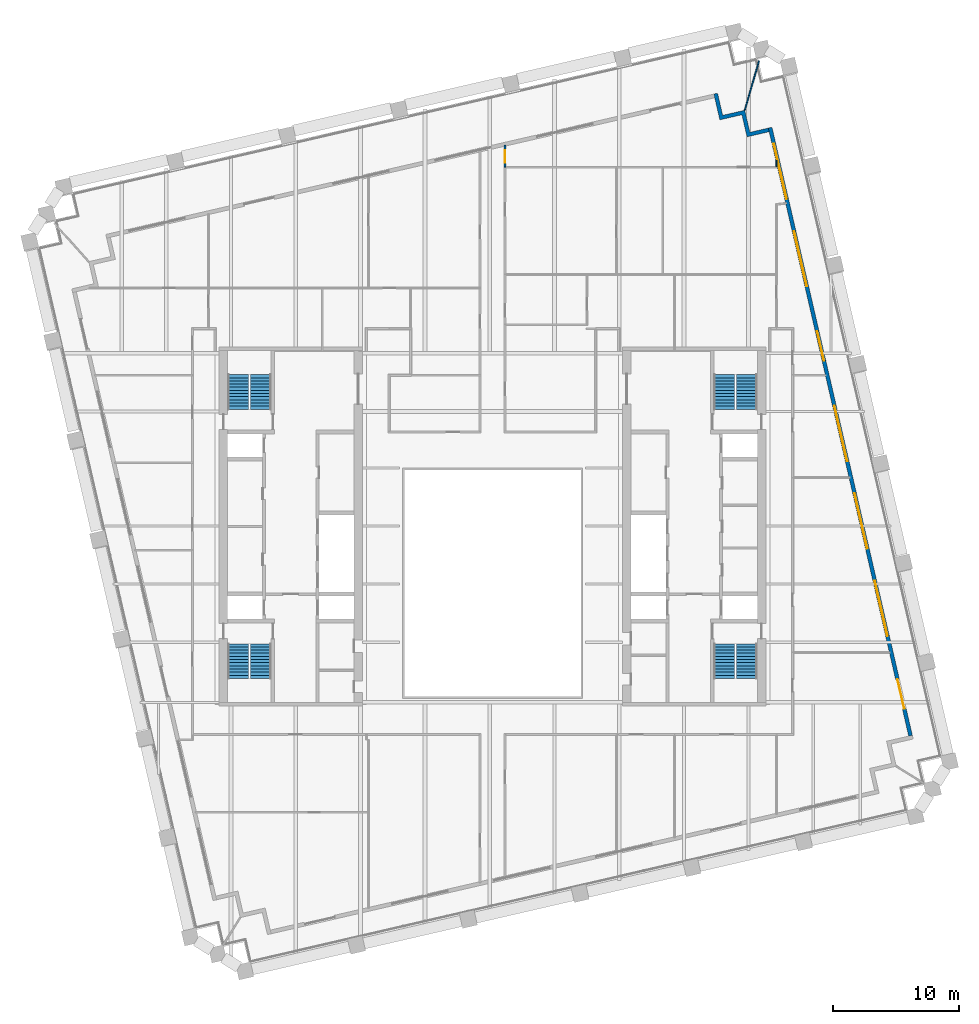
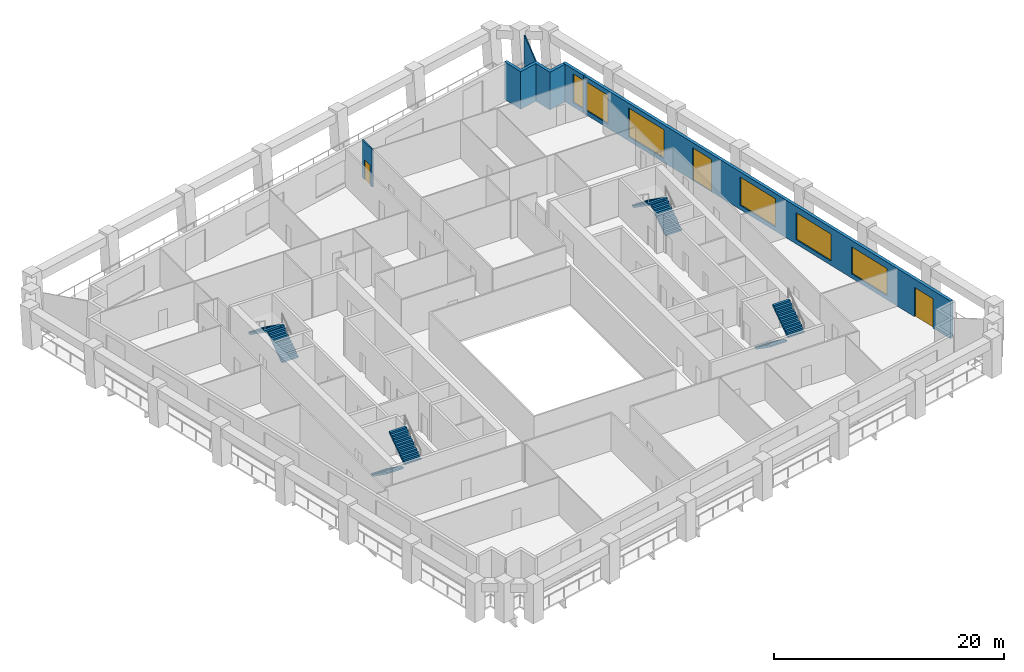
# One storey, part 9 of 10: 8 stair flights, 5 walls, 5 windows, 3 doors, 8 openings, 4 elements without a shape of their own.
"""IFC4 building model written with IfcOpenShell, lengths in metres."""

from ifc_helpers import new_model, si_unit, direction, frame, frame_2d, origin, place, context, subcontext, project, spatial, polyline, rectangle, outline, extrude, material, layer, layer_set, type_object, element, fill, aggregate, save


model = new_model("IFC4")

# Units and contexts
model_context = context("Model", 3, precision=1e-05, world=origin(), true_north=direction((0.0, 1.0)))
body_context = subcontext(model_context, "Body", "Model", "MODEL_VIEW")
ifc_project = project(units=[si_unit("LENGTHUNIT", "METRE"), si_unit("AREAUNIT", "SQUARE_METRE"), si_unit("VOLUMEUNIT", "CUBIC_METRE"), si_unit("PLANEANGLEUNIT", "RADIAN"), si_unit("MASSUNIT", "GRAM", prefix="KILO")], contexts=[model_context])

# Site, building, storey
site_placement = place(None, origin())
site = spatial("IfcSite", under=ifc_project, at=site_placement, CompositionType="ELEMENT")
building_placement = place(site_placement, origin())
building = spatial("IfcBuilding", under=site, at=building_placement, Name="Ogive Exchange Tower", CompositionType="ELEMENT")
storey_placement = place(building_placement, frame((0.0, 0.0, 188.39990234375)))
storey = spatial("IfcBuildingStorey", under=building, at=storey_placement, Name="L41", CompositionType="ELEMENT", Elevation=188.39990234375)

# Wall, opening, door
ifc_material_1 = material(Name="Fire partition EI 60 150")
ifc_layer_1 = layer(ifc_material_1, 0.14990234375)
ifc_layer_set_1 = layer_set([ifc_layer_1], Name="Fire partition EI 60 150")
wall_type_1 = type_object("IfcWallType", Name="Fire partition EI 60 150", PredefinedType="PARTITIONING", material=ifc_layer_set_1)
wall_1_placement = place(storey_placement, frame((0.989990234375, 41.7529296875, 0.0), z_axis=(0.0, 0.0, 1.0), x_axis=(0.0, -1.0, 0.0)))
wall_1 = element("IfcWall", 1, at=wall_1_placement, inside=storey, type_object=wall_type_1, Name="L41-PWL-048", PredefinedType="PARTITIONING", context=body_context, shape_type="SweptSolid", body=[
    extrude(rectangle(XDim=1.7529296875, YDim=0.14990234375, at=frame_2d((0.87646484375, 0.0))), origin(), (0.0, 0.0, 1.0), 4.0),
])
opening_1_placement = place(wall_1_placement, frame((0.403076171875, 0.0, 0.0)))
opening_1 = element("IfcOpeningElement", 2, at=opening_1_placement, cuts=wall_1, Name="Opening L41-I29", PredefinedType="OPENING", context=body_context, shape_type="SweptSolid", body=[
    extrude(rectangle(XDim=1.0, YDim=2.10009765625, at=frame_2d((0.5, 1.050048828125))), frame((0.0, 0.0849609375, 0.0), z_axis=(0.0, -1.0, 0.0), x_axis=(1.0, 0.0, 0.0)), (0.0, 0.0, 1.0), 0.169921875),
])
ifc_material_2 = material(Name="Fire door FD 30S 1000 x 2100")
door_type_1 = type_object("IfcDoorType", Name="Fire door FD 30S 1000 x 2100", OperationType="NOTDEFINED", PredefinedType="DOOR", material=ifc_material_2)
door_1_placement = place(opening_1_placement, origin())
door_1 = element("IfcDoor", 3, at=door_1_placement, inside=storey, type_object=door_type_1, Name="L41-IDR-029", ObjectType="DT3", OperationType="SINGLE_SWING_LEFT", OverallHeight=2.10009765625, OverallWidth=1.0, PredefinedType="DOOR", context=body_context, shape_type="SweptSolid", body=[
    extrude(rectangle(XDim=1.0, YDim=2.10009765625, at=frame_2d((0.5, 1.050048828125))), frame((0.0, 0.02490234375, 0.0), z_axis=(0.0, -1.0, 0.0), x_axis=(1.0, 0.0, 0.0)), (0.0, 0.0, 1.0), 0.050048828125),
])
fill(opening_1, door_1)

# Wall, openings, doors, windows
ifc_material_3 = material(Name="Precast concrete C40/50", Category="concrete")
ifc_layer_2 = layer(ifc_material_3, 0.300048828125)
ifc_layer_set_2 = layer_set([ifc_layer_2], Name="Limestone-faced wall 300")
wall_type_2 = type_object("IfcWallType", Name="Limestone-faced wall 300", PredefinedType="STANDARD", material=ifc_layer_set_2)
wall_2_placement = place(storey_placement, frame((33.1572265625, -5.092041015625, 0.0), z_axis=(0.0, 0.0, 1.0), x_axis=(-0.224950279389, 0.974370243697, 0.0)))
wall_2 = element("IfcWall", 4, at=wall_2_placement, inside=storey, type_object=wall_type_2, Name="External wall E2", PredefinedType="STANDARD", context=body_context, shape_type="SweptSolid", body=[
    extrude(rectangle(XDim=49.499755859375, YDim=0.300048828125, at=frame_2d((24.75, 0.0))), origin(), (0.0, 0.0, 1.0), 4.0),
])
opening_2_placement = place(wall_2_placement, frame((2.20703125, 0.0, 0.0)))
opening_2 = element("IfcOpeningElement", 5, at=opening_2_placement, cuts=wall_2, Name="Opening D1J", PredefinedType="OPENING", context=body_context, shape_type="SweptSolid", body=[
    extrude(rectangle(XDim=2.39990234375, YDim=3.125, at=frame_2d((1.199951171875, 1.5625))), frame((0.0, 0.159912109375, 0.0), z_axis=(0.0, -1.0, 0.0), x_axis=(1.0, 0.0, 0.0)), (0.0, 0.0, 1.0), 0.320068359375),
])
opening_3_placement = place(wall_2_placement, frame((8.121337890625, 0.0, 0.449951171875)))
opening_3 = element("IfcOpeningElement", 6, at=opening_3_placement, cuts=wall_2, Name="Opening W1D", PredefinedType="OPENING", context=body_context, shape_type="SweptSolid", body=[
    extrude(rectangle(XDim=4.5, YDim=2.875, at=frame_2d((2.25, 1.4375))), frame((0.0, 0.159912109375, 0.0), z_axis=(0.0, -1.0, 0.0), x_axis=(1.0, 0.0, 0.0)), (0.0, 0.0, 1.0), 0.320068359375),
])
opening_4_placement = place(wall_2_placement, frame((15.235595703125, 0.0, 0.449951171875)))
opening_4 = element("IfcOpeningElement", 7, at=opening_4_placement, cuts=wall_2, Name="Opening W1D", PredefinedType="OPENING", context=body_context, shape_type="SweptSolid", body=[
    extrude(rectangle(XDim=4.5, YDim=2.875, at=frame_2d((2.25, 1.4375))), frame((0.0, 0.159912109375, 0.0), z_axis=(0.0, -1.0, 0.0), x_axis=(1.0, 0.0, 0.0)), (0.0, 0.0, 1.0), 0.320068359375),
])
opening_5_placement = place(wall_2_placement, frame((22.35009765625, 0.0, 0.449951171875)))
opening_5 = element("IfcOpeningElement", 8, at=opening_5_placement, cuts=wall_2, Name="Opening W1A", PredefinedType="OPENING", context=body_context, shape_type="SweptSolid", body=[
    extrude(rectangle(XDim=4.5, YDim=3.0, at=frame_2d((2.25, 1.5))), frame((0.0, 0.159912109375, 0.0), z_axis=(0.0, -1.0, 0.0), x_axis=(1.0, 0.0, 0.0)), (0.0, 0.0, 1.0), 0.320068359375),
])
opening_6_placement = place(wall_2_placement, frame((30.51416015625, 0.0, 0.0)))
opening_6 = element("IfcOpeningElement", 9, at=opening_6_placement, cuts=wall_2, Name="Opening D1A", PredefinedType="OPENING", context=body_context, shape_type="SweptSolid", body=[
    extrude(rectangle(XDim=2.39990234375, YDim=3.449951171875, at=frame_2d((1.199951171875, 1.72509765625))), frame((0.0, 0.159912109375, 0.0), z_axis=(0.0, -1.0, 0.0), x_axis=(1.0, 0.0, 0.0)), (0.0, 0.0, 1.0), 0.320068359375),
])
opening_7_placement = place(wall_2_placement, frame((36.57861328125, 0.0, 0.449951171875)))
opening_7 = element("IfcOpeningElement", 10, at=opening_7_placement, cuts=wall_2, Name="Opening W1", PredefinedType="OPENING", context=body_context, shape_type="SweptSolid", body=[
    extrude(rectangle(XDim=4.5, YDim=3.050048828125, at=frame_2d((2.25, 1.52490234375))), frame((0.0, 0.159912109375, 0.0), z_axis=(0.0, -1.0, 0.0), x_axis=(1.0, 0.0, 0.0)), (0.0, 0.0, 1.0), 0.320068359375),
])
opening_8_placement = place(wall_2_placement, frame((43.69287109375, 0.0, 0.449951171875)))
opening_8 = element("IfcOpeningElement", 11, at=opening_8_placement, cuts=wall_2, Name="Opening W1", PredefinedType="OPENING", context=body_context, shape_type="SweptSolid", body=[
    extrude(rectangle(XDim=4.5, YDim=3.050048828125, at=frame_2d((2.25, 1.52490234375))), frame((0.0, 0.159912109375, 0.0), z_axis=(0.0, -1.0, 0.0), x_axis=(1.0, 0.0, 0.0)), (0.0, 0.0, 1.0), 0.320068359375),
])
ifc_material_4 = material(Name="Clear glass in bronze frame", Category="glass")
door_type_2 = type_object("IfcDoorType", Name="Sliding loggia door 2400 x 3125", OperationType="DOUBLE_DOOR_SLIDING", PredefinedType="DOOR", material=ifc_material_4)
door_2_placement = place(opening_2_placement, origin())
door_2 = element("IfcDoor", 12, at=door_2_placement, inside=storey, type_object=door_type_2, Name="Loggia door E00", OperationType="DOUBLE_DOOR_SLIDING", OverallHeight=3.125, OverallWidth=2.39990234375, PredefinedType="DOOR", context=body_context, shape_type="SweptSolid", body=[
    extrude(rectangle(XDim=2.39990234375, YDim=3.125, at=frame_2d((1.199951171875, 1.5625))), frame((0.0, 0.02490234375, 0.0), z_axis=(0.0, -1.0, 0.0), x_axis=(1.0, 0.0, 0.0)), (0.0, 0.0, 1.0), 0.050048828125),
])
fill(opening_2, door_2)
door_type_3 = type_object("IfcDoorType", Name="Sliding loggia door 2400 x 3450", OperationType="DOUBLE_DOOR_SLIDING", PredefinedType="DOOR", material=ifc_material_4)
door_3_placement = place(opening_6_placement, origin())
door_3 = element("IfcDoor", 13, at=door_3_placement, inside=storey, type_object=door_type_3, Name="Loggia door E04", OperationType="DOUBLE_DOOR_SLIDING", OverallHeight=3.449951171875, OverallWidth=2.39990234375, PredefinedType="DOOR", context=body_context, shape_type="SweptSolid", body=[
    extrude(rectangle(XDim=2.39990234375, YDim=3.449951171875, at=frame_2d((1.199951171875, 1.72509765625))), frame((0.0, 0.02490234375, 0.0), z_axis=(0.0, -1.0, 0.0), x_axis=(1.0, 0.0, 0.0)), (0.0, 0.0, 1.0), 0.050048828125),
])
fill(opening_6, door_3)
window_type_1 = type_object("IfcWindowType", Name="Twin lancet window 4500 x 2875", PartitioningType="DOUBLE_PANEL_VERTICAL", PredefinedType="WINDOW", material=ifc_material_4)
window_1_placement = place(opening_3_placement, origin())
window_1 = element("IfcWindow", 14, at=window_1_placement, inside=storey, type_object=window_type_1, Name="Window E01", OverallHeight=2.875, OverallWidth=4.5, PartitioningType="DOUBLE_PANEL_VERTICAL", PredefinedType="WINDOW", context=body_context, shape_type="SweptSolid", body=[
    extrude(rectangle(XDim=4.5, YDim=2.875, at=frame_2d((2.25, 1.4375))), frame((0.0, 0.030029296875, 0.0), z_axis=(0.0, -1.0, 0.0), x_axis=(1.0, 0.0, 0.0)), (0.0, 0.0, 1.0), 0.06005859375),
])
fill(opening_3, window_1)
window_2_placement = place(opening_4_placement, origin())
window_2 = element("IfcWindow", 15, at=window_2_placement, inside=storey, type_object=window_type_1, Name="Window E02", OverallHeight=2.875, OverallWidth=4.5, PartitioningType="DOUBLE_PANEL_VERTICAL", PredefinedType="WINDOW", context=body_context, shape_type="SweptSolid", body=[
    extrude(rectangle(XDim=4.5, YDim=2.875, at=frame_2d((2.25, 1.4375))), frame((0.0, 0.030029296875, 0.0), z_axis=(0.0, -1.0, 0.0), x_axis=(1.0, 0.0, 0.0)), (0.0, 0.0, 1.0), 0.06005859375),
])
fill(opening_4, window_2)
window_type_2 = type_object("IfcWindowType", Name="Twin lancet window 4500 x 3000", PartitioningType="DOUBLE_PANEL_VERTICAL", PredefinedType="WINDOW", material=ifc_material_4)
window_3_placement = place(opening_5_placement, origin())
window_3 = element("IfcWindow", 16, at=window_3_placement, inside=storey, type_object=window_type_2, Name="Window E03", OverallHeight=3.0, OverallWidth=4.5, PartitioningType="DOUBLE_PANEL_VERTICAL", PredefinedType="WINDOW", context=body_context, shape_type="SweptSolid", body=[
    extrude(rectangle(XDim=4.5, YDim=3.0, at=frame_2d((2.25, 1.5))), frame((0.0, 0.030029296875, 0.0), z_axis=(0.0, -1.0, 0.0), x_axis=(1.0, 0.0, 0.0)), (0.0, 0.0, 1.0), 0.06005859375),
])
fill(opening_5, window_3)
window_type_3 = type_object("IfcWindowType", Name="Twin lancet window 4500 x 3050", PartitioningType="DOUBLE_PANEL_VERTICAL", PredefinedType="WINDOW", material=ifc_material_4)
window_4_placement = place(opening_7_placement, origin())
window_4 = element("IfcWindow", 17, at=window_4_placement, inside=storey, type_object=window_type_3, Name="Window E05", OverallHeight=3.050048828125, OverallWidth=4.5, PartitioningType="DOUBLE_PANEL_VERTICAL", PredefinedType="WINDOW", context=body_context, shape_type="SweptSolid", body=[
    extrude(rectangle(XDim=4.5, YDim=3.050048828125, at=frame_2d((2.25, 1.52490234375))), frame((0.0, 0.030029296875, 0.0), z_axis=(0.0, -1.0, 0.0), x_axis=(1.0, 0.0, 0.0)), (0.0, 0.0, 1.0), 0.06005859375),
])
fill(opening_7, window_4)
window_5_placement = place(opening_8_placement, origin())
window_5 = element("IfcWindow", 18, at=window_5_placement, inside=storey, type_object=window_type_3, Name="Window E06", OverallHeight=3.050048828125, OverallWidth=4.5, PartitioningType="DOUBLE_PANEL_VERTICAL", PredefinedType="WINDOW", context=body_context, shape_type="SweptSolid", body=[
    extrude(rectangle(XDim=4.5, YDim=3.050048828125, at=frame_2d((2.25, 1.52490234375))), frame((0.0, 0.030029296875, 0.0), z_axis=(0.0, -1.0, 0.0), x_axis=(1.0, 0.0, 0.0)), (0.0, 0.0, 1.0), 0.06005859375),
])
fill(opening_8, window_5)

# Walls
wall_3_placement = place(storey_placement, origin())
element("IfcWall", 19, at=wall_3_placement, inside=storey, type_object=wall_type_2, Name="External corner wall C2", PredefinedType="STANDARD", context=body_context, shape_type="SweptSolid", body=[
    extrude(outline(polyline([(19.78466796875, 44.162109375), (18.03076171875, 43.757080078125), (17.558349609375, 45.80322265625), (17.8505859375, 45.870849609375), (18.255615234375, 44.116943359375), (20.009521484375, 44.52197265625), (20.414306640625, 42.76806640625), (21.8759765625, 43.10546875), (21.943359375, 42.81298828125), (20.189697265625, 42.408203125), (19.78466796875, 44.162109375)])), origin(), (0.0, 0.0, 1.0), 4.0),
])
ifc_material_5 = material(Name="Laminated safety glass in steel frame", Category="steel")
ifc_layer_3 = layer(ifc_material_5, 0.10009765625)
ifc_layer_set_3 = layer_set([ifc_layer_3], Name="Loggia end screen 100")
wall_type_3 = type_object("IfcWallType", Name="Loggia end screen 100", PredefinedType="STANDARD", material=ifc_layer_set_3)
wall_4_placement = place(storey_placement, frame((20.009521484375, 44.52197265625, -0.0498046875), z_axis=(0.0, 0.0, 1.0), x_axis=(0.276962557442, 0.960880711522, 0.0)))
element("IfcWall", 20, at=wall_4_placement, inside=storey, type_object=wall_type_3, Name="Loggia end screen C2", PredefinedType="STANDARD", context=body_context, shape_type="SweptSolid", body=[
    extrude(rectangle(XDim=4.06982421875, YDim=0.10009765625, at=frame_2d((2.034912109375, 0.0))), origin(), (0.0, 0.0, 1.0), 4.0498046875),
])
ifc_material_6 = material(Name="Partition 100 gypsum")
ifc_layer_4 = layer(ifc_material_6, 0.10009765625)
ifc_layer_set_4 = layer_set([ifc_layer_4], Name="Partition 100 gypsum")
wall_type_4 = type_object("IfcWallType", Name="Partition 100 gypsum", PredefinedType="PARTITIONING", material=ifc_layer_set_4)
wall_5_placement = place(storey_placement, frame((22.52001953125, 40.050048828125, 0.0), z_axis=(0.0, 0.0, 1.0), x_axis=(0.0, 1.0, 0.0)))
element("IfcWall", 21, at=wall_5_placement, inside=storey, type_object=wall_type_4, Name="L41-PWL-076", PredefinedType="PARTITIONING", context=body_context, shape_type="SweptSolid", body=[
    extrude(rectangle(XDim=0.510009765625, YDim=0.10009765625, at=frame_2d((0.2548828125, 0.0))), origin(), (0.0, 0.0, 1.0), 4.0),
])

# Stair, stair flights
ifc_material_7 = material(Name="Concrete C40/50", Category="concrete")
stair_type = type_object("IfcStairType", Name="Exit stair 1650 wide", PredefinedType="HALF_TURN_STAIR", material=ifc_material_7)
stair_1_placement = place(storey_placement, origin())
stair_1 = element("IfcStair", 22, at=stair_1_placement, inside=storey, type_object=stair_type, Name="L41 exit stair ST1", PredefinedType="HALF_TURN_STAIR")
stair_flight_type = type_object("IfcStairFlightType", Name="Stair flight 1650 wide", PredefinedType="STRAIGHT", material=ifc_material_7)
stair_flight_1_placement = place(storey_placement, frame((-20.175048828125, 2.199951171875, 0.0), z_axis=(0.0, 0.0, 1.0), x_axis=(0.0, -1.0, 0.0)))
stair_flight_1 = element("IfcStairFlight", 23, at=stair_flight_1_placement, type_object=stair_flight_type, Name="ST1 flight 1", NumberOfRisers=12, NumberOfTreads=11, PredefinedType="STRAIGHT", RiserHeight=0.175, TreadLength=0.25, context=body_context, shape_type="SweptSolid", body=[
    extrude(outline(polyline([(0.0, 0.0), (0.0, 0.175048828125), (0.25, 0.175048828125), (0.25, 0.35009765625), (0.5, 0.35009765625), (0.5, 0.52490234375), (0.75, 0.52490234375), (0.75, 0.699951171875), (1.0, 0.699951171875), (1.0, 0.875), (1.25, 0.875), (1.25, 1.050048828125), (1.5, 1.050048828125), (1.5, 1.22509765625), (1.75, 1.22509765625), (1.75, 1.39990234375), (2.0, 1.39990234375), (2.0, 1.574951171875), (2.25, 1.574951171875), (2.25, 1.75), (2.5, 1.75), (2.5, 1.925048828125), (2.75, 1.925048828125), (2.75, 2.10009765625), (2.75, 1.741943359375), (0.261474609375, 0.0), (0.0, 0.0)])), frame((0.0, 0.824951171875, 0.0), z_axis=(0.0, -1.0, 0.0), x_axis=(1.0, 0.0, 0.0)), (0.0, 0.0, 1.0), 1.64990234375),
])
stair_flight_2_placement = place(storey_placement, frame((-18.375, -0.550048828125, 2.10009765625), z_axis=(0.0, 0.0, 1.0), x_axis=(0.0, 1.0, 0.0)))
stair_flight_2 = element("IfcStairFlight", 24, at=stair_flight_2_placement, type_object=stair_flight_type, Name="ST1 flight 2", NumberOfRisers=12, NumberOfTreads=11, PredefinedType="STRAIGHT", RiserHeight=0.175, TreadLength=0.25, context=body_context, shape_type="SweptSolid", body=[
    extrude(outline(polyline([(0.0, 0.0), (0.0, 0.175048828125), (0.25, 0.175048828125), (0.25, 0.35009765625), (0.5, 0.35009765625), (0.5, 0.52490234375), (0.75, 0.52490234375), (0.75, 0.699951171875), (1.0, 0.699951171875), (1.0, 0.875), (1.25, 0.875), (1.25, 1.050048828125), (1.5, 1.050048828125), (1.5, 1.22509765625), (1.75, 1.22509765625), (1.75, 1.39990234375), (2.0, 1.39990234375), (2.0, 1.574951171875), (2.25, 1.574951171875), (2.25, 1.75), (2.5, 1.75), (2.5, 1.925048828125), (2.75, 1.925048828125), (2.75, 2.10009765625), (2.75, 1.741943359375), (0.261474609375, 0.0), (0.0, 0.0)])), frame((0.0, 0.824951171875, 0.0), z_axis=(0.0, -1.0, 0.0), x_axis=(1.0, 0.0, 0.0)), (0.0, 0.0, 1.0), 1.64990234375),
])
aggregate(stair_1, [stair_flight_1, stair_flight_2])

stair_2_placement = place(storey_placement, origin())
stair_2 = element("IfcStair", 25, at=stair_2_placement, inside=storey, type_object=stair_type, Name="L41 exit stair ST2", PredefinedType="HALF_TURN_STAIR")
stair_flight_3_placement = place(storey_placement, frame((-18.375, 20.800048828125, 0.0), z_axis=(0.0, 0.0, 1.0), x_axis=(0.0, 1.0, 0.0)))
stair_flight_3 = element("IfcStairFlight", 26, at=stair_flight_3_placement, type_object=stair_flight_type, Name="ST2 flight 1", NumberOfRisers=12, NumberOfTreads=11, PredefinedType="STRAIGHT", RiserHeight=0.175, TreadLength=0.25, context=body_context, shape_type="SweptSolid", body=[
    extrude(outline(polyline([(0.0, 0.0), (0.0, 0.175048828125), (0.25, 0.175048828125), (0.25, 0.35009765625), (0.5, 0.35009765625), (0.5, 0.52490234375), (0.75, 0.52490234375), (0.75, 0.699951171875), (1.0, 0.699951171875), (1.0, 0.875), (1.25, 0.875), (1.25, 1.050048828125), (1.5, 1.050048828125), (1.5, 1.22509765625), (1.75, 1.22509765625), (1.75, 1.39990234375), (2.0, 1.39990234375), (2.0, 1.574951171875), (2.25, 1.574951171875), (2.25, 1.75), (2.5, 1.75), (2.5, 1.925048828125), (2.75, 1.925048828125), (2.75, 2.10009765625), (2.75, 1.741943359375), (0.261474609375, 0.0), (0.0, 0.0)])), frame((0.0, 0.824951171875, 0.0), z_axis=(0.0, -1.0, 0.0), x_axis=(1.0, 0.0, 0.0)), (0.0, 0.0, 1.0), 1.64990234375),
])
stair_flight_4_placement = place(storey_placement, frame((-20.175048828125, 23.550048828125, 2.10009765625), z_axis=(0.0, 0.0, 1.0), x_axis=(0.0, -1.0, 0.0)))
stair_flight_4 = element("IfcStairFlight", 27, at=stair_flight_4_placement, type_object=stair_flight_type, Name="ST2 flight 2", NumberOfRisers=12, NumberOfTreads=11, PredefinedType="STRAIGHT", RiserHeight=0.175, TreadLength=0.25, context=body_context, shape_type="SweptSolid", body=[
    extrude(outline(polyline([(0.0, 0.0), (0.0, 0.175048828125), (0.25, 0.175048828125), (0.25, 0.35009765625), (0.5, 0.35009765625), (0.5, 0.52490234375), (0.75, 0.52490234375), (0.75, 0.699951171875), (1.0, 0.699951171875), (1.0, 0.875), (1.25, 0.875), (1.25, 1.050048828125), (1.5, 1.050048828125), (1.5, 1.22509765625), (1.75, 1.22509765625), (1.75, 1.39990234375), (2.0, 1.39990234375), (2.0, 1.574951171875), (2.25, 1.574951171875), (2.25, 1.75), (2.5, 1.75), (2.5, 1.925048828125), (2.75, 1.925048828125), (2.75, 2.10009765625), (2.75, 1.741943359375), (0.261474609375, 0.0), (0.0, 0.0)])), frame((0.0, 0.824951171875, 0.0), z_axis=(0.0, -1.0, 0.0), x_axis=(1.0, 0.0, 0.0)), (0.0, 0.0, 1.0), 1.64990234375),
])
aggregate(stair_2, [stair_flight_3, stair_flight_4])

stair_3_placement = place(storey_placement, origin())
stair_3 = element("IfcStair", 28, at=stair_3_placement, inside=storey, type_object=stair_type, Name="L41 exit stair ST3", PredefinedType="HALF_TURN_STAIR")
stair_flight_5_placement = place(storey_placement, frame((18.375, 2.199951171875, 0.0), z_axis=(0.0, 0.0, 1.0), x_axis=(0.0, -1.0, 0.0)))
stair_flight_5 = element("IfcStairFlight", 29, at=stair_flight_5_placement, type_object=stair_flight_type, Name="ST3 flight 1", NumberOfRisers=12, NumberOfTreads=11, PredefinedType="STRAIGHT", RiserHeight=0.175, TreadLength=0.25, context=body_context, shape_type="SweptSolid", body=[
    extrude(outline(polyline([(0.0, 0.0), (0.0, 0.175048828125), (0.25, 0.175048828125), (0.25, 0.35009765625), (0.5, 0.35009765625), (0.5, 0.52490234375), (0.75, 0.52490234375), (0.75, 0.699951171875), (1.0, 0.699951171875), (1.0, 0.875), (1.25, 0.875), (1.25, 1.050048828125), (1.5, 1.050048828125), (1.5, 1.22509765625), (1.75, 1.22509765625), (1.75, 1.39990234375), (2.0, 1.39990234375), (2.0, 1.574951171875), (2.25, 1.574951171875), (2.25, 1.75), (2.5, 1.75), (2.5, 1.925048828125), (2.75, 1.925048828125), (2.75, 2.10009765625), (2.75, 1.741943359375), (0.261474609375, 0.0), (0.0, 0.0)])), frame((0.0, 0.824951171875, 0.0), z_axis=(0.0, -1.0, 0.0), x_axis=(1.0, 0.0, 0.0)), (0.0, 0.0, 1.0), 1.64990234375),
])
stair_flight_6_placement = place(storey_placement, frame((20.175048828125, -0.550048828125, 2.10009765625), z_axis=(0.0, 0.0, 1.0), x_axis=(0.0, 1.0, 0.0)))
stair_flight_6 = element("IfcStairFlight", 30, at=stair_flight_6_placement, type_object=stair_flight_type, Name="ST3 flight 2", NumberOfRisers=12, NumberOfTreads=11, PredefinedType="STRAIGHT", RiserHeight=0.175, TreadLength=0.25, context=body_context, shape_type="SweptSolid", body=[
    extrude(outline(polyline([(0.0, 0.0), (0.0, 0.175048828125), (0.25, 0.175048828125), (0.25, 0.35009765625), (0.5, 0.35009765625), (0.5, 0.52490234375), (0.75, 0.52490234375), (0.75, 0.699951171875), (1.0, 0.699951171875), (1.0, 0.875), (1.25, 0.875), (1.25, 1.050048828125), (1.5, 1.050048828125), (1.5, 1.22509765625), (1.75, 1.22509765625), (1.75, 1.39990234375), (2.0, 1.39990234375), (2.0, 1.574951171875), (2.25, 1.574951171875), (2.25, 1.75), (2.5, 1.75), (2.5, 1.925048828125), (2.75, 1.925048828125), (2.75, 2.10009765625), (2.75, 1.741943359375), (0.261474609375, 0.0), (0.0, 0.0)])), frame((0.0, 0.824951171875, 0.0), z_axis=(0.0, -1.0, 0.0), x_axis=(1.0, 0.0, 0.0)), (0.0, 0.0, 1.0), 1.64990234375),
])
aggregate(stair_3, [stair_flight_5, stair_flight_6])

stair_4_placement = place(storey_placement, origin())
stair_4 = element("IfcStair", 31, at=stair_4_placement, inside=storey, type_object=stair_type, Name="L41 exit stair ST4", PredefinedType="HALF_TURN_STAIR")
stair_flight_7_placement = place(storey_placement, frame((20.175048828125, 20.800048828125, 0.0), z_axis=(0.0, 0.0, 1.0), x_axis=(0.0, 1.0, 0.0)))
stair_flight_7 = element("IfcStairFlight", 32, at=stair_flight_7_placement, type_object=stair_flight_type, Name="ST4 flight 1", NumberOfRisers=12, NumberOfTreads=11, PredefinedType="STRAIGHT", RiserHeight=0.175, TreadLength=0.25, context=body_context, shape_type="SweptSolid", body=[
    extrude(outline(polyline([(0.0, 0.0), (0.0, 0.175048828125), (0.25, 0.175048828125), (0.25, 0.35009765625), (0.5, 0.35009765625), (0.5, 0.52490234375), (0.75, 0.52490234375), (0.75, 0.699951171875), (1.0, 0.699951171875), (1.0, 0.875), (1.25, 0.875), (1.25, 1.050048828125), (1.5, 1.050048828125), (1.5, 1.22509765625), (1.75, 1.22509765625), (1.75, 1.39990234375), (2.0, 1.39990234375), (2.0, 1.574951171875), (2.25, 1.574951171875), (2.25, 1.75), (2.5, 1.75), (2.5, 1.925048828125), (2.75, 1.925048828125), (2.75, 2.10009765625), (2.75, 1.741943359375), (0.261474609375, 0.0), (0.0, 0.0)])), frame((0.0, 0.824951171875, 0.0), z_axis=(0.0, -1.0, 0.0), x_axis=(1.0, 0.0, 0.0)), (0.0, 0.0, 1.0), 1.64990234375),
])
stair_flight_8_placement = place(storey_placement, frame((18.375, 23.550048828125, 2.10009765625), z_axis=(0.0, 0.0, 1.0), x_axis=(0.0, -1.0, 0.0)))
stair_flight_8 = element("IfcStairFlight", 33, at=stair_flight_8_placement, type_object=stair_flight_type, Name="ST4 flight 2", NumberOfRisers=12, NumberOfTreads=11, PredefinedType="STRAIGHT", RiserHeight=0.175, TreadLength=0.25, context=body_context, shape_type="SweptSolid", body=[
    extrude(outline(polyline([(0.0, 0.0), (0.0, 0.175048828125), (0.25, 0.175048828125), (0.25, 0.35009765625), (0.5, 0.35009765625), (0.5, 0.52490234375), (0.75, 0.52490234375), (0.75, 0.699951171875), (1.0, 0.699951171875), (1.0, 0.875), (1.25, 0.875), (1.25, 1.050048828125), (1.5, 1.050048828125), (1.5, 1.22509765625), (1.75, 1.22509765625), (1.75, 1.39990234375), (2.0, 1.39990234375), (2.0, 1.574951171875), (2.25, 1.574951171875), (2.25, 1.75), (2.5, 1.75), (2.5, 1.925048828125), (2.75, 1.925048828125), (2.75, 2.10009765625), (2.75, 1.741943359375), (0.261474609375, 0.0), (0.0, 0.0)])), frame((0.0, 0.824951171875, 0.0), z_axis=(0.0, -1.0, 0.0), x_axis=(1.0, 0.0, 0.0)), (0.0, 0.0, 1.0), 1.64990234375),
])
aggregate(stair_4, [stair_flight_7, stair_flight_8])

save(model, "model.ifc")
